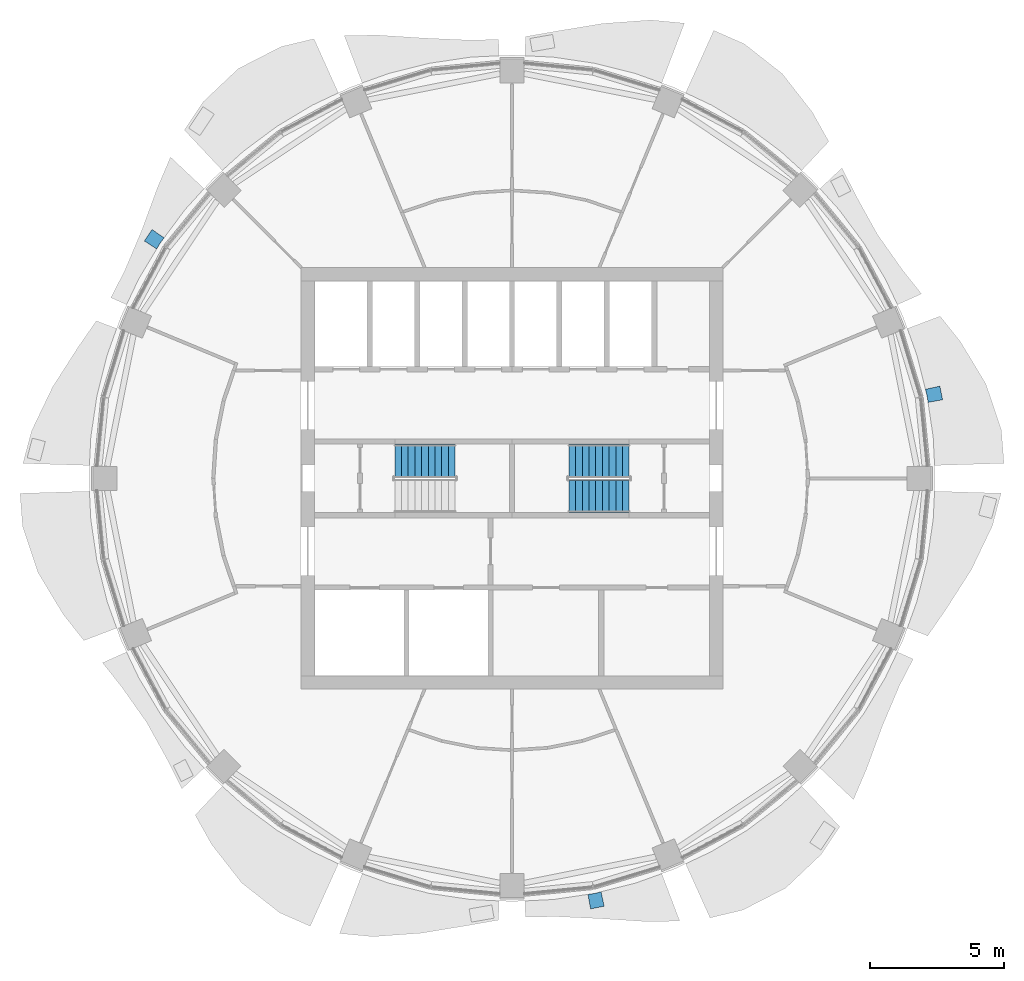
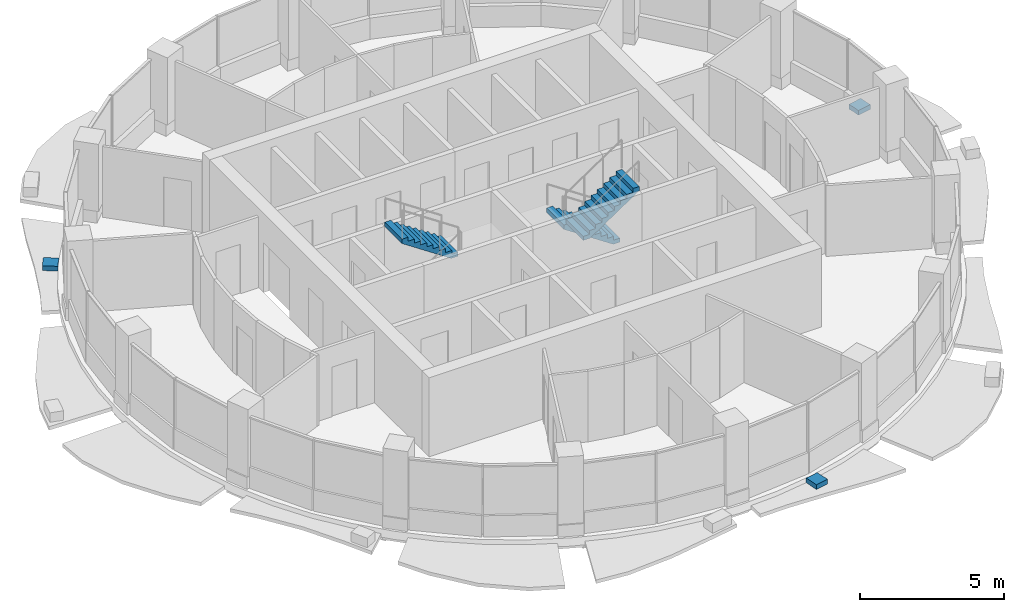
# One storey, part 10 of 14: 3 discrete accessories, 3 stair flights, 2 elements without a shape of their own.
"""IFC4 building model written with IfcOpenShell, lengths in metres."""

from ifc_helpers import new_model, si_unit, direction, frame, origin, place, context, subcontext, project, spatial, polyline, outline, extrude, material, type_object, element, aggregate, save


model = new_model("IFC4")

# Units and contexts
model_context = context("Model", 3, precision=1e-05, world=origin(), true_north=direction((0.0, 1.0)))
body_context = subcontext(model_context, "Body", "Model", "MODEL_VIEW")
ifc_project = project(units=[si_unit("LENGTHUNIT", "METRE"), si_unit("AREAUNIT", "SQUARE_METRE"), si_unit("VOLUMEUNIT", "CUBIC_METRE"), si_unit("PLANEANGLEUNIT", "RADIAN"), si_unit("MASSUNIT", "GRAM", prefix="KILO")], contexts=[model_context])

# Site, building, storey
site_placement = place(None, origin())
site = spatial("IfcSite", under=ifc_project, at=site_placement, CompositionType="ELEMENT")
building_placement = place(site_placement, origin())
building = spatial("IfcBuilding", under=site, at=building_placement, Name="Polderwave Tower", CompositionType="ELEMENT")
storey_placement = place(building_placement, frame((0.0, 0.0, 217.800048828125)))
storey = spatial("IfcBuildingStorey", under=building, at=storey_placement, Name="L59", CompositionType="ELEMENT", Elevation=217.800048828125)

# Stair, stair flight
ifc_material_1 = material(Name="Concrete C40/50", Category="concrete")
stair_type = type_object("IfcStairType", Name="Exit stair 1200 x 20 risers", PredefinedType="HALF_TURN_STAIR", material=ifc_material_1)
stair_1_placement = place(storey_placement, origin())
stair_1 = element("IfcStair", 1, at=stair_1_placement, inside=storey, type_object=stair_type, Name="L59 Exit stair A", PredefinedType="HALF_TURN_STAIR")
stair_flight_type = type_object("IfcStairFlightType", Name="Stair flight 1200", PredefinedType="STRAIGHT", material=ifc_material_1)
stair_flight_1_placement = place(storey_placement, frame((-2.1240234375, 0.675048828125, 1.675048828125), z_axis=(0.0, 0.0, 1.0), x_axis=(-1.0, 0.0, 0.0)))
stair_flight_1 = element("IfcStairFlight", 2, at=stair_flight_1_placement, type_object=stair_flight_type, Name="ST-A flight 2", NumberOfRisers=10, NumberOfTreads=9, PredefinedType="STRAIGHT", RiserHeight=0.1675, TreadLength=0.25, context=body_context, shape_type="SweptSolid", body=[
    extrude(outline(polyline([(0.0, 0.0), (0.0, 0.16748046875), (0.25, 0.16748046875), (0.25, 0.3349609375), (0.5, 0.3349609375), (0.5, 0.50244140625), (0.75, 0.50244140625), (0.75, 0.669921875), (1.0, 0.669921875), (1.0, 0.83740234375), (1.25, 0.83740234375), (1.25, 1.0048828125), (1.5, 1.0048828125), (1.5, 1.172607421875), (1.75, 1.172607421875), (1.75, 1.340087890625), (2.0, 1.340087890625), (2.0, 1.507568359375), (2.25, 1.507568359375), (2.25, 1.675048828125), (2.25, 1.3271484375), (0.269287109375, 0.0), (0.0, 0.0)])), frame((0.0, 0.60009765625, 0.0), z_axis=(0.0, -1.0, 0.0), x_axis=(1.0, 0.0, 0.0)), (0.0, 0.0, 1.0), 1.199951171875),
])
aggregate(stair_1, [stair_flight_1])

# Stair, stair flights
stair_2_placement = place(storey_placement, origin())
stair_2 = element("IfcStair", 3, at=stair_2_placement, inside=storey, type_object=stair_type, Name="L59 Exit stair B", PredefinedType="HALF_TURN_STAIR")
stair_flight_2_placement = place(storey_placement, frame((4.3740234375, 0.675048828125, 0.0), z_axis=(0.0, 0.0, 1.0), x_axis=(-1.0, 0.0, 0.0)))
stair_flight_2 = element("IfcStairFlight", 4, at=stair_flight_2_placement, type_object=stair_flight_type, Name="ST-B flight 1", NumberOfRisers=10, NumberOfTreads=9, PredefinedType="STRAIGHT", RiserHeight=0.1675, TreadLength=0.25, context=body_context, shape_type="SweptSolid", body=[
    extrude(outline(polyline([(0.0, 0.0), (0.0, 0.16748046875), (0.25, 0.16748046875), (0.25, 0.3349609375), (0.5, 0.3349609375), (0.5, 0.50244140625), (0.75, 0.50244140625), (0.75, 0.669921875), (1.0, 0.669921875), (1.0, 0.83740234375), (1.25, 0.83740234375), (1.25, 1.0048828125), (1.5, 1.0048828125), (1.5, 1.172607421875), (1.75, 1.172607421875), (1.75, 1.340087890625), (2.0, 1.340087890625), (2.0, 1.507568359375), (2.25, 1.507568359375), (2.25, 1.675048828125), (2.25, 1.3271484375), (0.269287109375, 0.0), (0.0, 0.0)])), frame((0.0, 0.60009765625, 0.0), z_axis=(0.0, -1.0, 0.0), x_axis=(1.0, 0.0, 0.0)), (0.0, 0.0, 1.0), 1.199951171875),
])
stair_flight_3_placement = place(storey_placement, frame((2.1240234375, -0.675048828125, 1.675048828125), z_axis=(0.0, 0.0, 1.0), x_axis=(1.0, 0.0, 0.0)))
stair_flight_3 = element("IfcStairFlight", 5, at=stair_flight_3_placement, type_object=stair_flight_type, Name="ST-B flight 2", NumberOfRisers=10, NumberOfTreads=9, PredefinedType="STRAIGHT", RiserHeight=0.1675, TreadLength=0.25, context=body_context, shape_type="SweptSolid", body=[
    extrude(outline(polyline([(0.0, 0.0), (0.0, 0.16748046875), (0.25, 0.16748046875), (0.25, 0.3349609375), (0.5, 0.3349609375), (0.5, 0.50244140625), (0.75, 0.50244140625), (0.75, 0.669921875), (1.0, 0.669921875), (1.0, 0.83740234375), (1.25, 0.83740234375), (1.25, 1.0048828125), (1.5, 1.0048828125), (1.5, 1.172607421875), (1.75, 1.172607421875), (1.75, 1.340087890625), (2.0, 1.340087890625), (2.0, 1.507568359375), (2.25, 1.507568359375), (2.25, 1.675048828125), (2.25, 1.3271484375), (0.269287109375, 0.0), (0.0, 0.0)])), frame((0.0, 0.60009765625, 0.0), z_axis=(0.0, -1.0, 0.0), x_axis=(1.0, 0.0, 0.0)), (0.0, 0.0, 1.0), 1.199951171875),
])
aggregate(stair_2, [stair_flight_2, stair_flight_3])

# Discrete accessories
ifc_material_2 = material(Name="Steel S355", Category="steel")
discrete_accessory_type = type_object("IfcDiscreteAccessoryType", Name="Band bracket pad", PredefinedType="BRACKET", material=ifc_material_2)
discrete_accessory_1_placement = place(storey_placement, frame((0.0, 0.0, -0.199951171875)))
element("IfcDiscreteAccessory", 6, at=discrete_accessory_1_placement, inside=storey, type_object=discrete_accessory_type, Name="Band bracket L59 1", PredefinedType="BRACKET", context=body_context, shape_type="SweptSolid", body=[
    extrude(outline(polyline([(15.533203125, 2.835205078125), (15.496337890625, 3.08251953125), (15.435791015625, 3.324951171875), (15.973388671875, 3.44091796875), (16.07421875, 2.933837890625), (15.533203125, 2.835205078125)])), origin(), (0.0, 0.0, 1.0), 0.199951171875),
])
discrete_accessory_2_placement = place(storey_placement, frame((0.0, 0.0, -0.199951171875)))
element("IfcDiscreteAccessory", 7, at=discrete_accessory_2_placement, inside=storey, type_object=discrete_accessory_type, Name="Band bracket L59 7", PredefinedType="BRACKET", context=body_context, shape_type="SweptSolid", body=[
    extrude(outline(polyline([(-12.98828125, 8.978759765625), (-13.13720703125, 8.778076171875), (-13.265625, 8.563720703125), (-13.727783203125, 8.86181640625), (-13.440673828125, 9.29150390625), (-12.98828125, 8.978759765625)])), origin(), (0.0, 0.0, 1.0), 0.199951171875),
])
discrete_accessory_3_placement = place(storey_placement, frame((0.0, 0.0, -0.199951171875)))
element("IfcDiscreteAccessory", 8, at=discrete_accessory_3_placement, inside=storey, type_object=discrete_accessory_type, Name="Band bracket L59 13", PredefinedType="BRACKET", context=body_context, shape_type="SweptSolid", body=[
    extrude(outline(polyline([(2.835205078125, -15.533203125), (3.08251953125, -15.496337890625), (3.324951171875, -15.435791015625), (3.44091796875, -15.973388671875), (2.933837890625, -16.07421875), (2.835205078125, -15.533203125)])), origin(), (0.0, 0.0, 1.0), 0.199951171875),
])

save(model, "model.ifc")
